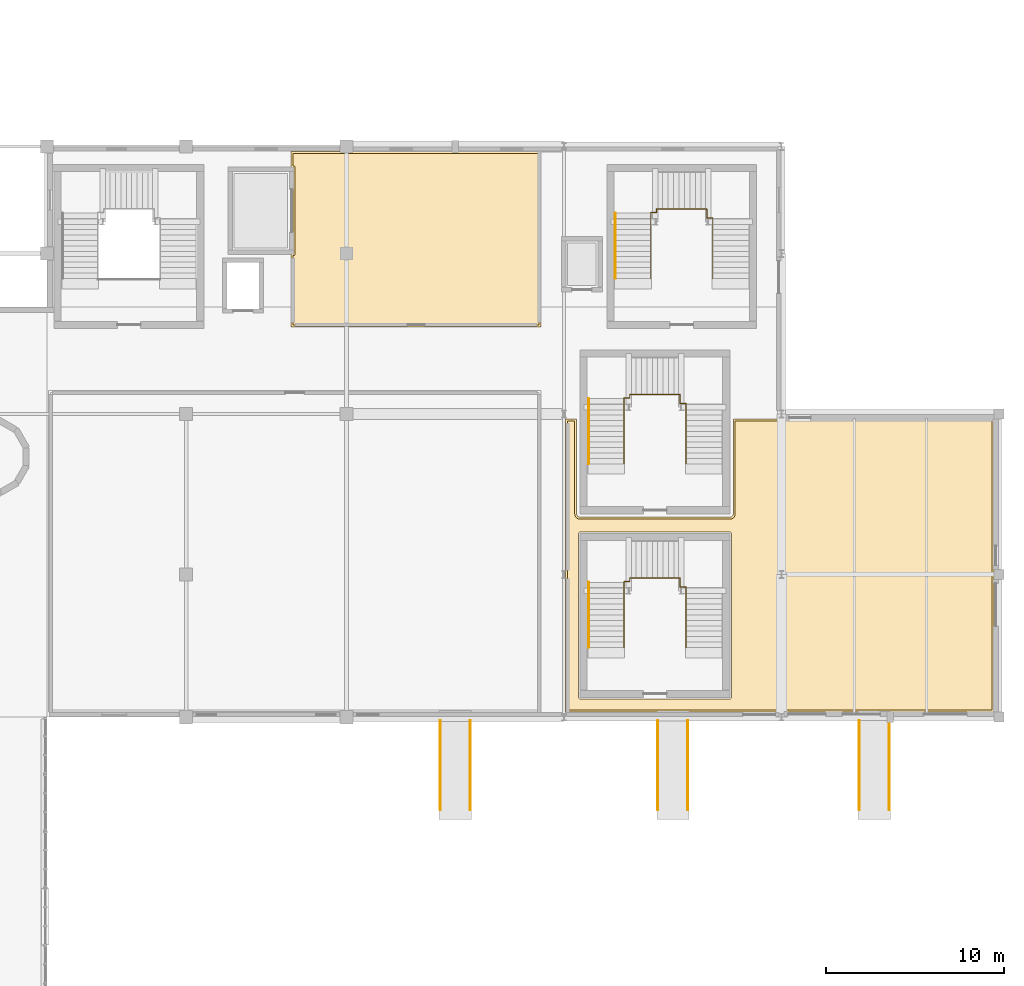
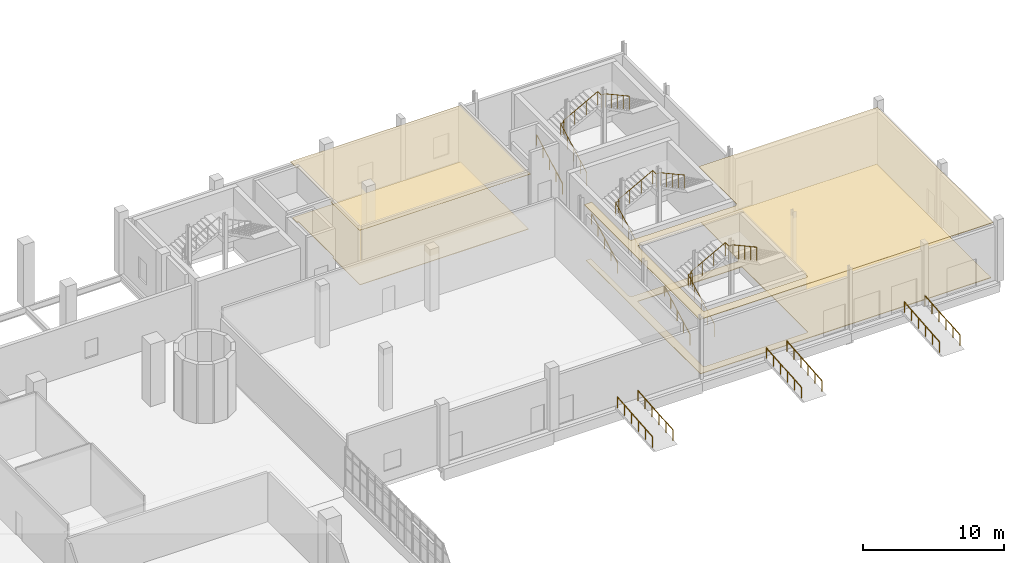
# One storey, part 56 of 57: 12 railings, 4 coverings.
"""IFC4 building model written with IfcOpenShell, lengths in metres."""

from ifc_helpers import new_model, si_unit, derived_unit, direction, frame, origin, origin_2d, place, context, subcontext, project, spatial, polyline, circle, outline, extrude, material, layer, layer_set, type_object, element, save


model = new_model("IFC4")

# Units and contexts
model_context = context("Model", 3, precision=1e-05, world=origin(), true_north=direction((0.0, 1.0)))
body_context = subcontext(model_context, "Body", "Model", "MODEL_VIEW")
ifc_project = project(units=[si_unit("LENGTHUNIT", "METRE"), si_unit("AREAUNIT", "SQUARE_METRE"), si_unit("VOLUMEUNIT", "CUBIC_METRE"), si_unit("PLANEANGLEUNIT", "RADIAN"), si_unit("MASSUNIT", "GRAM", prefix="KILO"), derived_unit("THERMALTRANSMITTANCEUNIT", [(si_unit("POWERUNIT", "WATT"), 1), (si_unit("LENGTHUNIT", "METRE"), -2), (si_unit("THERMODYNAMICTEMPERATUREUNIT", "KELVIN"), -1)])], contexts=[model_context])

# Site, building, storey
site_placement = place(None, origin())
site = spatial("IfcSite", under=ifc_project, at=site_placement, CompositionType="ELEMENT")
building_placement = place(site_placement, origin())
building = spatial("IfcBuilding", under=site, at=building_placement, Name="Nallur Shell Playhouse", CompositionType="ELEMENT")
storey_placement = place(building_placement, origin())
storey = spatial("IfcBuildingStorey", under=building, at=storey_placement, Name="L01", CompositionType="ELEMENT", Elevation=0.0)

# Coverings
ifc_material_1 = material(Name="Micro-Perforated Teak Veneer Acoustic Baffle Ceiling")
ifc_layer_1 = layer(ifc_material_1, 0.044921875)
ifc_layer_set_1 = layer_set([ifc_layer_1], Name="Micro-Perforated Teak Veneer Acoustic Baffle Ceiling")
covering_type_1 = type_object("IfcCoveringType", Name="CV-CEIL-AC1", PredefinedType="CEILING", material=ifc_layer_set_1)
covering_1_placement = place(storey_placement, frame((0.0, 0.0, 4.804931640625)))
element("IfcCovering", 1, at=covering_1_placement, inside=storey, type_object=covering_type_1, Name="Performing Arts Bookshop & Design Store suspended acoustic ceiling", PredefinedType="CEILING", context=body_context, shape_type="SweptSolid", body=[
    extrude(outline(polyline([(148.31884765625, 35.34326171875), (148.323974609375, 35.3291015625), (148.325439453125, 35.324951171875), (148.33154296875, 35.312255859375), (148.33349609375, 35.308349609375), (148.3408203125, 35.29638671875), (148.34326171875, 35.292724609375), (148.351806640625, 35.28125), (148.354736328125, 35.277587890625), (148.3642578125, 35.26708984375), (148.3671875, 35.26416015625), (148.377685546875, 35.2548828125), (148.38134765625, 35.251953125), (148.392822265625, 35.2431640625), (148.396484375, 35.24072265625), (148.408447265625, 35.233642578125), (148.412353515625, 35.231689453125), (148.425048828125, 35.2255859375), (148.428955078125, 35.223876953125), (148.443115234375, 35.218994140625), (148.447509765625, 35.217529296875), (148.460693359375, 35.214111328125), (148.465087890625, 35.21337890625), (148.47900390625, 35.211181640625), (148.4833984375, 35.210693359375), (148.4990234375, 35.2099609375), (148.501220703125, 35.2099609375), (156.89892578125, 35.2099609375), (156.90087890625, 35.2099609375), (156.916748046875, 35.210693359375), (156.921142578125, 35.211181640625), (156.934814453125, 35.21337890625), (156.939208984375, 35.214111328125), (156.95263671875, 35.217529296875), (156.956787109375, 35.218994140625), (156.970947265625, 35.223876953125), (156.97509765625, 35.2255859375), (156.98779296875, 35.231689453125), (156.99169921875, 35.233642578125), (157.00341796875, 35.24072265625), (157.007080078125, 35.2431640625), (157.018798828125, 35.251953125), (157.022216796875, 35.2548828125), (157.03271484375, 35.26416015625), (157.035888671875, 35.26708984375), (157.045166015625, 35.277587890625), (157.048095703125, 35.28125), (157.056884765625, 35.292724609375), (157.05908203125, 35.29638671875), (157.06640625, 35.308349609375), (157.068359375, 35.312255859375), (157.074462890625, 35.324951171875), (157.076171875, 35.3291015625), (157.0810546875, 35.34326171875), (157.08251953125, 35.347412109375), (157.085693359375, 35.36083984375), (157.086669921875, 35.364990234375), (157.088623046875, 35.37890625), (157.089111328125, 35.38330078125), (157.090087890625, 35.39892578125), (157.090087890625, 35.401123046875), (157.090087890625, 40.7099609375), (171.7099609375, 40.7099609375), (171.7099609375, 24.2900390625), (147.68994140625, 24.2900390625), (147.68994140625, 40.7099609375), (148.31005859375, 40.7099609375), (148.31005859375, 35.401123046875), (148.31005859375, 35.39892578125), (148.310791015625, 35.38330078125), (148.311279296875, 35.37890625), (148.313232421875, 35.364990234375), (148.314208984375, 35.36083984375), (148.3173828125, 35.347412109375), (148.31884765625, 35.34326171875)]), holes=[polyline([(156.91552734375, 25.021484375), (156.923095703125, 25.0234375), (156.9306640625, 25.026123046875), (156.937744140625, 25.029296875), (156.9443359375, 25.033447265625), (156.95068359375, 25.0380859375), (156.95654296875, 25.04345703125), (156.9619140625, 25.04931640625), (156.966552734375, 25.0556640625), (156.970703125, 25.062255859375), (156.973876953125, 25.0693359375), (156.9765625, 25.076904296875), (156.978515625, 25.08447265625), (156.9794921875, 25.09228515625), (156.97998046875, 25.10009765625), (156.97998046875, 34.300048828125), (156.9794921875, 34.307861328125), (156.978515625, 34.315673828125), (156.9765625, 34.3232421875), (156.973876953125, 34.33056640625), (156.970703125, 34.337646484375), (156.966552734375, 34.344482421875), (156.9619140625, 34.350830078125), (156.95654296875, 34.356689453125), (156.95068359375, 34.36181640625), (156.9443359375, 34.366455078125), (156.937744140625, 34.37060546875), (156.9306640625, 34.373779296875), (156.923095703125, 34.376708984375), (156.91552734375, 34.37841796875), (156.90771484375, 34.379638671875), (156.89990234375, 34.3798828125), (148.5, 34.3798828125), (148.4921875, 34.379638671875), (148.484375, 34.37841796875), (148.476806640625, 34.376708984375), (148.469482421875, 34.373779296875), (148.46240234375, 34.37060546875), (148.45556640625, 34.366455078125), (148.44921875, 34.36181640625), (148.443359375, 34.356689453125), (148.438232421875, 34.350830078125), (148.43359375, 34.344482421875), (148.429443359375, 34.337646484375), (148.426025390625, 34.33056640625), (148.42333984375, 34.3232421875), (148.42138671875, 34.315673828125), (148.42041015625, 34.307861328125), (148.419921875, 34.300048828125), (148.419921875, 25.10009765625), (148.42041015625, 25.09228515625), (148.42138671875, 25.08447265625), (148.42333984375, 25.076904296875), (148.426025390625, 25.0693359375), (148.429443359375, 25.062255859375), (148.43359375, 25.0556640625), (148.438232421875, 25.04931640625), (148.443359375, 25.04345703125), (148.44921875, 25.0380859375), (148.45556640625, 25.033447265625), (148.46240234375, 25.029296875), (148.469482421875, 25.026123046875), (148.476806640625, 25.0234375), (148.484375, 25.021484375), (148.4921875, 25.0205078125), (148.5, 25.02001953125), (156.89990234375, 25.02001953125), (156.90771484375, 25.0205078125), (156.91552734375, 25.021484375)])]), origin(), (0.0, 0.0, 1.0), 0.045166015625),
])
ifc_material_2 = material(Name="Mineral-Fibre High-NRC Suspended Ceiling Tile")
ifc_layer_2 = layer(ifc_material_2, 0.030029296875)
ifc_layer_set_2 = layer_set([ifc_layer_2], Name="Mineral-Fibre High-NRC Suspended Ceiling Tile")
covering_type_2 = type_object("IfcCoveringType", Name="CV-CEIL-AC2", PredefinedType="CEILING", material=ifc_layer_set_2)
covering_2_placement = place(storey_placement, frame((0.0, 0.0, 4.820068359375)))
element("IfcCovering", 2, at=covering_2_placement, inside=storey, type_object=covering_type_2, Name="Commercial Catering Kitchen & Scullery suspended acoustic ceiling", PredefinedType="CEILING", context=body_context, shape_type="SweptSolid", body=[
    extrude(outline(polyline([(132.409912109375, 49.989990234375), (132.409912109375, 54.81005859375), (132.2900390625, 54.81005859375), (132.2900390625, 55.7099609375), (146.31005859375, 55.7099609375), (146.31005859375, 45.889892578125), (132.2900390625, 45.889892578125), (132.2900390625, 49.989990234375), (132.409912109375, 49.989990234375)])), origin(), (0.0, 0.0, 1.0), 0.030029296875),
])
ifc_material_3 = material(Name="Polished Chettinad Oxide & White Marble Terrazzo Flooring", Category="masonry")
ifc_layer_3 = layer(ifc_material_3, 0.050048828125)
ifc_layer_set_3 = layer_set([ifc_layer_3], Name="Polished Chettinad Oxide & White Marble Terrazzo Flooring")
covering_type_3 = type_object("IfcCoveringType", Name="CV-FLOR-TERRAZZO", PredefinedType="FLOORING", material=ifc_layer_set_3)
covering_3_placement = place(storey_placement, origin())
element("IfcCovering", 3, at=covering_3_placement, inside=storey, type_object=covering_type_3, Name="Commercial Catering Kitchen & Scullery floor finish", PredefinedType="FLOORING", context=body_context, shape_type="SweptSolid", body=[
    extrude(outline(polyline([(132.49072265625, 49.9091796875), (132.497314453125, 49.91650390625), (132.503173828125, 49.92431640625), (132.50830078125, 49.932861328125), (132.512451171875, 49.941650390625), (132.515625, 49.950927734375), (132.51806640625, 49.96044921875), (132.51953125, 49.97021484375), (132.52001953125, 49.97998046875), (132.52001953125, 54.820068359375), (132.51953125, 54.829833984375), (132.51806640625, 54.839599609375), (132.515625, 54.84912109375), (132.512451171875, 54.8583984375), (132.50830078125, 54.8671875), (132.503173828125, 54.87548828125), (132.497314453125, 54.88330078125), (132.49072265625, 54.890625), (132.4833984375, 54.897216796875), (132.4755859375, 54.903076171875), (132.467041015625, 54.908203125), (132.458251953125, 54.912353515625), (132.448974609375, 54.915771484375), (132.439453125, 54.918212890625), (132.4296875, 54.91943359375), (132.419921875, 54.919921875), (132.39990234375, 54.919921875), (132.39990234375, 55.60009765625), (146.199951171875, 55.60009765625), (146.199951171875, 46.0), (132.39990234375, 46.0), (132.39990234375, 49.8798828125), (132.419921875, 49.8798828125), (132.4296875, 49.880615234375), (132.439453125, 49.8818359375), (132.448974609375, 49.88427734375), (132.458251953125, 49.8876953125), (132.467041015625, 49.891845703125), (132.4755859375, 49.89697265625), (132.4833984375, 49.902587890625), (132.49072265625, 49.9091796875)])), origin(), (0.0, 0.0, 1.0), 0.050048828125),
])
covering_4_placement = place(storey_placement, origin())
element("IfcCovering", 4, at=covering_4_placement, inside=storey, type_object=covering_type_3, Name="Performing Arts Bookshop & Design Store floor finish", PredefinedType="FLOORING", context=body_context, shape_type="SweptSolid", body=[
    extrude(outline(polyline([(148.214599609375, 35.308349609375), (148.22119140625, 35.289794921875), (148.224853515625, 35.28076171875), (148.233154296875, 35.262939453125), (148.23779296875, 35.25439453125), (148.247802734375, 35.237548828125), (148.25341796875, 35.229248046875), (148.26513671875, 35.213623046875), (148.271240234375, 35.2060546875), (148.284423828125, 35.19140625), (148.29150390625, 35.1845703125), (148.305908203125, 35.17138671875), (148.313720703125, 35.1650390625), (148.329345703125, 35.1533203125), (148.33740234375, 35.14794921875), (148.354248046875, 35.1376953125), (148.363037109375, 35.13330078125), (148.380615234375, 35.124755859375), (148.389892578125, 35.12109375), (148.408203125, 35.114501953125), (148.41748046875, 35.111572265625), (148.436767578125, 35.106689453125), (148.4462890625, 35.10498046875), (148.4658203125, 35.10205078125), (148.4755859375, 35.10107421875), (148.4951171875, 35.10009765625), (148.5, 35.10009765625), (156.89990234375, 35.10009765625), (156.90478515625, 35.10009765625), (156.924560546875, 35.10107421875), (156.934326171875, 35.10205078125), (156.95361328125, 35.10498046875), (156.96337890625, 35.106689453125), (156.982421875, 35.111572265625), (156.99169921875, 35.114501953125), (157.01025390625, 35.12109375), (157.019287109375, 35.124755859375), (157.037109375, 35.13330078125), (157.045654296875, 35.1376953125), (157.0625, 35.14794921875), (157.07080078125, 35.1533203125), (157.08642578125, 35.1650390625), (157.093994140625, 35.17138671875), (157.108642578125, 35.1845703125), (157.115478515625, 35.19140625), (157.128662109375, 35.2060546875), (157.135009765625, 35.213623046875), (157.146484375, 35.229248046875), (157.152099609375, 35.237548828125), (157.162109375, 35.25439453125), (157.166748046875, 35.262939453125), (157.17529296875, 35.28076171875), (157.178955078125, 35.289794921875), (157.185546875, 35.308349609375), (157.1884765625, 35.317626953125), (157.193115234375, 35.336669921875), (157.195068359375, 35.34619140625), (157.197998046875, 35.36572265625), (157.198974609375, 35.37548828125), (157.199951171875, 35.39501953125), (157.199951171875, 35.39990234375), (157.199951171875, 40.60009765625), (171.60009765625, 40.60009765625), (171.60009765625, 24.39990234375), (147.800048828125, 24.39990234375), (147.800048828125, 40.60009765625), (148.199951171875, 40.60009765625), (148.199951171875, 35.39990234375), (148.2001953125, 35.39501953125), (148.201171875, 35.37548828125), (148.201904296875, 35.36572265625), (148.204833984375, 35.34619140625), (148.206787109375, 35.336669921875), (148.211669921875, 35.317626953125), (148.214599609375, 35.308349609375)]), holes=[polyline([(156.91552734375, 25.021484375), (156.923095703125, 25.0234375), (156.9306640625, 25.026123046875), (156.937744140625, 25.029296875), (156.9443359375, 25.033447265625), (156.95068359375, 25.0380859375), (156.95654296875, 25.04345703125), (156.9619140625, 25.04931640625), (156.966552734375, 25.0556640625), (156.970703125, 25.062255859375), (156.973876953125, 25.0693359375), (156.9765625, 25.076904296875), (156.978515625, 25.08447265625), (156.9794921875, 25.09228515625), (156.97998046875, 25.10009765625), (156.97998046875, 34.300048828125), (156.9794921875, 34.307861328125), (156.978515625, 34.315673828125), (156.9765625, 34.3232421875), (156.973876953125, 34.33056640625), (156.970703125, 34.337646484375), (156.966552734375, 34.344482421875), (156.9619140625, 34.350830078125), (156.95654296875, 34.356689453125), (156.95068359375, 34.36181640625), (156.9443359375, 34.366455078125), (156.937744140625, 34.37060546875), (156.9306640625, 34.373779296875), (156.923095703125, 34.376708984375), (156.91552734375, 34.37841796875), (156.90771484375, 34.379638671875), (156.89990234375, 34.3798828125), (148.5, 34.3798828125), (148.4921875, 34.379638671875), (148.484375, 34.37841796875), (148.476806640625, 34.376708984375), (148.469482421875, 34.373779296875), (148.46240234375, 34.37060546875), (148.45556640625, 34.366455078125), (148.44921875, 34.36181640625), (148.443359375, 34.356689453125), (148.438232421875, 34.350830078125), (148.43359375, 34.344482421875), (148.429443359375, 34.337646484375), (148.426025390625, 34.33056640625), (148.42333984375, 34.3232421875), (148.42138671875, 34.315673828125), (148.42041015625, 34.307861328125), (148.419921875, 34.300048828125), (148.419921875, 25.10009765625), (148.42041015625, 25.09228515625), (148.42138671875, 25.08447265625), (148.42333984375, 25.076904296875), (148.426025390625, 25.0693359375), (148.429443359375, 25.062255859375), (148.43359375, 25.0556640625), (148.438232421875, 25.04931640625), (148.443359375, 25.04345703125), (148.44921875, 25.0380859375), (148.45556640625, 25.033447265625), (148.46240234375, 25.029296875), (148.469482421875, 25.026123046875), (148.476806640625, 25.0234375), (148.484375, 25.021484375), (148.4921875, 25.0205078125), (148.5, 25.02001953125), (156.89990234375, 25.02001953125), (156.90771484375, 25.0205078125), (156.91552734375, 25.021484375)])]), origin(), (0.0, 0.0, 1.0), 0.050048828125),
])

# Railings
ifc_material_4 = material(Name="Brushed Stainless Steel 316 Balustrade & Toughened Infill", Category="steel")
railing_type_1 = type_object("IfcRailingType", Name="RL-GUARD-1100", PredefinedType="BALUSTRADE", material=ifc_material_4)
railing_1_placement = place(storey_placement, frame((152.4599609375, 48.60009765625, 0.0)))
element("IfcRailing", 5, at=railing_1_placement, inside=storey, type_object=railing_type_1, Name="Stair ST-05-L01 inner open-well guard", PredefinedType="BALUSTRADE", context=body_context, shape_type="SweptSolid", body=[
    extrude(circle(Radius=0.02392578125, at=origin_2d()), frame((0.0, 0.0, 1.15576171875), z_axis=(0.0, 0.879145147203, 0.476554099919), x_axis=(-1.0, 0.0, 0.0)), (0.0, 0.0, 1.0), 4.20849609375),
    extrude(circle(Radius=0.02392578125, at=origin_2d()), frame((0.0, 3.699951171875, 3.16162109375), z_axis=(1.0, 0.0, 0.0), x_axis=(0.0, 1.0, 0.0)), (0.0, 0.0, 1.0), 0.32763671875),
    extrude(circle(Radius=0.02392578125, at=origin_2d()), frame((0.32763671875, 3.699951171875, 3.16162109375), z_axis=(0.0, 1.0, 0.0), x_axis=(-1.0, 0.0, 0.0)), (0.0, 0.0, 1.0), 0.199951171875),
    extrude(circle(Radius=0.02392578125, at=origin_2d()), frame((0.32763671875, 3.89990234375, 3.16162109375), z_axis=(0.877622962151, 0.0, 0.479351579016), x_axis=(0.0, 1.0, 0.0)), (0.0, 0.0, 1.0), 3.21875),
    extrude(circle(Radius=0.02392578125, at=origin_2d()), frame((3.152587890625, 3.89990234375, 4.70458984375), z_axis=(0.0, -1.0, 0.0), x_axis=(1.0, 0.0, 0.0)), (0.0, 0.0, 1.0), 0.5048828125),
    extrude(circle(Radius=0.02392578125, at=origin_2d()), frame((3.152587890625, 3.39501953125, 4.70458984375), z_axis=(1.0, 0.0, 0.0), x_axis=(0.0, 1.0, 0.0)), (0.0, 0.0, 1.0), 0.327392578125),
    extrude(circle(Radius=0.02392578125, at=origin_2d()), frame((3.47998046875, 3.39501953125, 4.70458984375), z_axis=(0.0, -0.877951061209, 0.478750388117), x_axis=(1.0, 0.0, 0.0)), (0.0, 0.0, 1.0), 3.866943359375),
    extrude(circle(Radius=0.02099609375, at=origin_2d()), origin(), (0.0, 0.0, 1.0), 1.1318359375),
    extrude(circle(Radius=0.02099609375, at=origin_2d()), frame((0.0, 0.925048828125, 0.50146484375)), (0.0, 0.0, 1.0), 1.1318359375),
    extrude(circle(Radius=0.02099609375, at=origin_2d()), frame((0.0, 1.85009765625, 1.0029296875)), (0.0, 0.0, 1.0), 1.1318359375),
    extrude(circle(Radius=0.02099609375, at=origin_2d()), frame((0.0, 2.77490234375, 1.504150390625)), (0.0, 0.0, 1.0), 1.1318359375),
    extrude(circle(Radius=0.02099609375, at=origin_2d()), frame((0.0, 3.699951171875, 2.005615234375)), (0.0, 0.0, 1.0), 1.1318359375),
    extrude(circle(Radius=0.02099609375, at=origin_2d()), frame((0.32763671875, 3.699951171875, 2.005615234375)), (0.0, 0.0, 1.0), 1.1318359375),
    extrude(circle(Radius=0.02099609375, at=origin_2d()), frame((0.32763671875, 3.89990234375, 2.005615234375)), (0.0, 0.0, 1.0), 1.1318359375),
    extrude(circle(Radius=0.02099609375, at=origin_2d()), frame((1.269287109375, 3.89990234375, 2.52001953125)), (0.0, 0.0, 1.0), 1.1318359375),
    extrude(circle(Radius=0.02099609375, at=origin_2d()), frame((2.2109375, 3.89990234375, 3.0341796875)), (0.0, 0.0, 1.0), 1.1318359375),
    extrude(circle(Radius=0.02099609375, at=origin_2d()), frame((3.152587890625, 3.89990234375, 3.548583984375)), (0.0, 0.0, 1.0), 1.1318359375),
    extrude(circle(Radius=0.02099609375, at=origin_2d()), frame((3.152587890625, 3.39501953125, 3.548583984375)), (0.0, 0.0, 1.0), 1.1318359375),
    extrude(circle(Radius=0.02099609375, at=origin_2d()), frame((3.47998046875, 3.39501953125, 3.548583984375)), (0.0, 0.0, 1.0), 1.1318359375),
    extrude(circle(Radius=0.02099609375, at=origin_2d()), frame((3.47998046875, 2.54638671875, 4.011474609375)), (0.0, 0.0, 1.0), 1.1318359375),
    extrude(circle(Radius=0.02099609375, at=origin_2d()), frame((3.47998046875, 1.697509765625, 4.47412109375)), (0.0, 0.0, 1.0), 1.1318359375),
    extrude(circle(Radius=0.02099609375, at=origin_2d()), frame((3.47998046875, 0.8486328125, 4.93701171875)), (0.0, 0.0, 1.0), 1.1318359375),
    extrude(circle(Radius=0.02099609375, at=origin_2d()), frame((3.47998046875, 0.0, 5.39990234375)), (0.0, 0.0, 1.0), 1.1318359375),
])
railing_2_placement = place(storey_placement, frame((150.9599609375, 27.89990234375, 0.0)))
element("IfcRailing", 6, at=railing_2_placement, inside=storey, type_object=railing_type_1, Name="Stair ST-08-L01 inner open-well guard", PredefinedType="BALUSTRADE", context=body_context, shape_type="SweptSolid", body=[
    extrude(circle(Radius=0.02392578125, at=origin_2d()), frame((0.0, 0.0, 1.15576171875), z_axis=(0.0, 0.879158320541, 0.476529796994), x_axis=(-1.0, 0.0, 0.0)), (0.0, 0.0, 1.0), 4.208740234375),
    extrude(circle(Radius=0.02392578125, at=origin_2d()), frame((0.0, 3.7001953125, 3.16162109375), z_axis=(1.0, 0.0, 0.0), x_axis=(0.0, 1.0, 0.0)), (0.0, 0.0, 1.0), 0.32763671875),
    extrude(circle(Radius=0.02392578125, at=origin_2d()), frame((0.32763671875, 3.7001953125, 3.16162109375), z_axis=(0.0, 1.0, 0.0), x_axis=(-1.0, 0.0, 0.0)), (0.0, 0.0, 1.0), 0.199951171875),
    extrude(circle(Radius=0.02392578125, at=origin_2d()), frame((0.32763671875, 3.900146484375, 3.16162109375), z_axis=(0.877622962151, 0.0, 0.479351579016), x_axis=(0.0, 1.0, 0.0)), (0.0, 0.0, 1.0), 3.21875),
    extrude(circle(Radius=0.02392578125, at=origin_2d()), frame((3.152587890625, 3.900146484375, 4.70458984375), z_axis=(0.0, -1.0, 0.0), x_axis=(1.0, 0.0, 0.0)), (0.0, 0.0, 1.0), 0.505126953125),
    extrude(circle(Radius=0.02392578125, at=origin_2d()), frame((3.152587890625, 3.39501953125, 4.70458984375), z_axis=(1.0, 0.0, 0.0), x_axis=(0.0, 1.0, 0.0)), (0.0, 0.0, 1.0), 0.327392578125),
    extrude(circle(Radius=0.02392578125, at=origin_2d()), frame((3.47998046875, 3.39501953125, 4.70458984375), z_axis=(0.0, -0.877951061209, 0.478750388117), x_axis=(1.0, 0.0, 0.0)), (0.0, 0.0, 1.0), 3.866943359375),
    extrude(circle(Radius=0.02099609375, at=origin_2d()), origin(), (0.0, 0.0, 1.0), 1.1318359375),
    extrude(circle(Radius=0.02099609375, at=origin_2d()), frame((0.0, 0.925048828125, 0.50146484375)), (0.0, 0.0, 1.0), 1.1318359375),
    extrude(circle(Radius=0.02099609375, at=origin_2d()), frame((0.0, 1.85009765625, 1.0029296875)), (0.0, 0.0, 1.0), 1.1318359375),
    extrude(circle(Radius=0.02099609375, at=origin_2d()), frame((0.0, 2.775146484375, 1.504150390625)), (0.0, 0.0, 1.0), 1.1318359375),
    extrude(circle(Radius=0.02099609375, at=origin_2d()), frame((0.0, 3.7001953125, 2.005615234375)), (0.0, 0.0, 1.0), 1.1318359375),
    extrude(circle(Radius=0.02099609375, at=origin_2d()), frame((0.32763671875, 3.7001953125, 2.005615234375)), (0.0, 0.0, 1.0), 1.1318359375),
    extrude(circle(Radius=0.02099609375, at=origin_2d()), frame((0.32763671875, 3.900146484375, 2.005615234375)), (0.0, 0.0, 1.0), 1.1318359375),
    extrude(circle(Radius=0.02099609375, at=origin_2d()), frame((1.269287109375, 3.900146484375, 2.52001953125)), (0.0, 0.0, 1.0), 1.1318359375),
    extrude(circle(Radius=0.02099609375, at=origin_2d()), frame((2.2109375, 3.900146484375, 3.0341796875)), (0.0, 0.0, 1.0), 1.1318359375),
    extrude(circle(Radius=0.02099609375, at=origin_2d()), frame((3.152587890625, 3.900146484375, 3.548583984375)), (0.0, 0.0, 1.0), 1.1318359375),
    extrude(circle(Radius=0.02099609375, at=origin_2d()), frame((3.152587890625, 3.39501953125, 3.548583984375)), (0.0, 0.0, 1.0), 1.1318359375),
    extrude(circle(Radius=0.02099609375, at=origin_2d()), frame((3.47998046875, 3.39501953125, 3.548583984375)), (0.0, 0.0, 1.0), 1.1318359375),
    extrude(circle(Radius=0.02099609375, at=origin_2d()), frame((3.47998046875, 2.54638671875, 4.011474609375)), (0.0, 0.0, 1.0), 1.1318359375),
    extrude(circle(Radius=0.02099609375, at=origin_2d()), frame((3.47998046875, 1.697509765625, 4.47412109375)), (0.0, 0.0, 1.0), 1.1318359375),
    extrude(circle(Radius=0.02099609375, at=origin_2d()), frame((3.47998046875, 0.8486328125, 4.93701171875)), (0.0, 0.0, 1.0), 1.1318359375),
    extrude(circle(Radius=0.02099609375, at=origin_2d()), frame((3.47998046875, 0.0, 5.39990234375)), (0.0, 0.0, 1.0), 1.1318359375),
])
railing_3_placement = place(storey_placement, frame((150.9599609375, 38.199951171875, 0.0)))
element("IfcRailing", 7, at=railing_3_placement, inside=storey, type_object=railing_type_1, Name="Stair ST-09-L01 inner open-well guard", PredefinedType="BALUSTRADE", context=body_context, shape_type="SweptSolid", body=[
    extrude(circle(Radius=0.02392578125, at=origin_2d()), frame((0.0, 0.0, 1.15576171875), z_axis=(0.0, 0.879145147203, 0.476554099919), x_axis=(-1.0, 0.0, 0.0)), (0.0, 0.0, 1.0), 4.20849609375),
    extrude(circle(Radius=0.02392578125, at=origin_2d()), frame((0.0, 3.699951171875, 3.16162109375), z_axis=(1.0, 0.0, 0.0), x_axis=(0.0, 1.0, 0.0)), (0.0, 0.0, 1.0), 0.32763671875),
    extrude(circle(Radius=0.02392578125, at=origin_2d()), frame((0.32763671875, 3.699951171875, 3.16162109375), z_axis=(0.0, 1.0, 0.0), x_axis=(-1.0, 0.0, 0.0)), (0.0, 0.0, 1.0), 0.2001953125),
    extrude(circle(Radius=0.02392578125, at=origin_2d()), frame((0.32763671875, 3.900146484375, 3.16162109375), z_axis=(0.877622962151, 0.0, 0.479351579016), x_axis=(0.0, 1.0, 0.0)), (0.0, 0.0, 1.0), 3.21875),
    extrude(circle(Radius=0.02392578125, at=origin_2d()), frame((3.152587890625, 3.900146484375, 4.70458984375), z_axis=(0.0, -1.0, 0.0), x_axis=(1.0, 0.0, 0.0)), (0.0, 0.0, 1.0), 0.505126953125),
    extrude(circle(Radius=0.02392578125, at=origin_2d()), frame((3.152587890625, 3.39501953125, 4.70458984375), z_axis=(1.0, 0.0, 0.0), x_axis=(0.0, 1.0, 0.0)), (0.0, 0.0, 1.0), 0.327392578125),
    extrude(circle(Radius=0.02392578125, at=origin_2d()), frame((3.47998046875, 3.39501953125, 4.70458984375), z_axis=(0.0, -0.877951061209, 0.478750388117), x_axis=(1.0, 0.0, 0.0)), (0.0, 0.0, 1.0), 3.866943359375),
    extrude(circle(Radius=0.02099609375, at=origin_2d()), origin(), (0.0, 0.0, 1.0), 1.1318359375),
    extrude(circle(Radius=0.02099609375, at=origin_2d()), frame((0.0, 0.925048828125, 0.50146484375)), (0.0, 0.0, 1.0), 1.1318359375),
    extrude(circle(Radius=0.02099609375, at=origin_2d()), frame((0.0, 1.85009765625, 1.0029296875)), (0.0, 0.0, 1.0), 1.1318359375),
    extrude(circle(Radius=0.02099609375, at=origin_2d()), frame((0.0, 2.77490234375, 1.504150390625)), (0.0, 0.0, 1.0), 1.1318359375),
    extrude(circle(Radius=0.02099609375, at=origin_2d()), frame((0.0, 3.699951171875, 2.005615234375)), (0.0, 0.0, 1.0), 1.1318359375),
    extrude(circle(Radius=0.02099609375, at=origin_2d()), frame((0.32763671875, 3.699951171875, 2.005615234375)), (0.0, 0.0, 1.0), 1.1318359375),
    extrude(circle(Radius=0.02099609375, at=origin_2d()), frame((0.32763671875, 3.900146484375, 2.005615234375)), (0.0, 0.0, 1.0), 1.1318359375),
    extrude(circle(Radius=0.02099609375, at=origin_2d()), frame((1.269287109375, 3.900146484375, 2.52001953125)), (0.0, 0.0, 1.0), 1.1318359375),
    extrude(circle(Radius=0.02099609375, at=origin_2d()), frame((2.2109375, 3.900146484375, 3.0341796875)), (0.0, 0.0, 1.0), 1.1318359375),
    extrude(circle(Radius=0.02099609375, at=origin_2d()), frame((3.152587890625, 3.900146484375, 3.548583984375)), (0.0, 0.0, 1.0), 1.1318359375),
    extrude(circle(Radius=0.02099609375, at=origin_2d()), frame((3.152587890625, 3.39501953125, 3.548583984375)), (0.0, 0.0, 1.0), 1.1318359375),
    extrude(circle(Radius=0.02099609375, at=origin_2d()), frame((3.47998046875, 3.39501953125, 3.548583984375)), (0.0, 0.0, 1.0), 1.1318359375),
    extrude(circle(Radius=0.02099609375, at=origin_2d()), frame((3.47998046875, 2.54638671875, 4.011474609375)), (0.0, 0.0, 1.0), 1.1318359375),
    extrude(circle(Radius=0.02099609375, at=origin_2d()), frame((3.47998046875, 1.697509765625, 4.47412109375)), (0.0, 0.0, 1.0), 1.1318359375),
    extrude(circle(Radius=0.02099609375, at=origin_2d()), frame((3.47998046875, 0.8486328125, 4.93701171875)), (0.0, 0.0, 1.0), 1.1318359375),
    extrude(circle(Radius=0.02099609375, at=origin_2d()), frame((3.47998046875, 0.0, 5.39990234375)), (0.0, 0.0, 1.0), 1.1318359375),
])
ifc_material_5 = material(Name="Stainless Steel 316 Continuous Tubular Handrail", Category="steel")
railing_type_2 = type_object("IfcRailingType", Name="RL-HANDRAIL-900", PredefinedType="HANDRAIL", material=ifc_material_5)
for number, where, name in (
    (8, (140.659912109375, 18.800048828125, -0.433349609375), "Studio South Forecourt Accessible Ramp accessible handrail L"),
    (9, (142.340087890625, 18.800048828125, -0.433349609375), "Studio South Forecourt Accessible Ramp accessible handrail R"),
    (10, (152.860107421875, 18.800048828125, -0.433349609375), "Bookshop South Forecourt Accessible Ramp accessible handrail L"),
    (11, (154.5400390625, 18.800048828125, -0.433349609375), "Bookshop South Forecourt Accessible Ramp accessible handrail R"),
    (12, (164.159912109375, 18.800048828125, -0.433349609375), "East Colonnade South Accessible Ramp accessible handrail L"),
    (13, (165.840087890625, 18.800048828125, -0.433349609375), "East Colonnade South Accessible Ramp accessible handrail R"),
):
    element("IfcRailing", number, at=place(storey_placement, frame(where)), inside=storey, type_object=railing_type_2, Name=name, PredefinedType="HANDRAIL", context=body_context, shape_type="SweptSolid", body=[
        extrude(circle(Radius=0.02392578125, at=origin_2d()), frame((0.0, 0.0, 0.89599609375), z_axis=(0.0, 0.996544415787, 0.083061587781), x_axis=(-1.0, 0.0, 0.0)), (0.0, 0.0, 1.0), 5.017333984375),
        extrude(circle(Radius=0.02099609375, at=origin_2d()), origin(), (0.0, 0.0, 1.0), 0.871826171875),
        extrude(circle(Radius=0.02099609375, at=origin_2d()), frame((0.0, 1.0, 0.083251953125)), (0.0, 0.0, 1.0), 0.871826171875),
        extrude(circle(Radius=0.02099609375, at=origin_2d()), frame((0.0, 2.0, 0.166748046875)), (0.0, 0.0, 1.0), 0.871826171875),
        extrude(circle(Radius=0.02099609375, at=origin_2d()), frame((0.0, 3.0, 0.25)), (0.0, 0.0, 1.0), 0.871826171875),
        extrude(circle(Radius=0.02099609375, at=origin_2d()), frame((0.0, 4.0, 0.33349609375)), (0.0, 0.0, 1.0), 0.871826171875),
        extrude(circle(Radius=0.02099609375, at=origin_2d()), frame((0.0, 5.0, 0.416748046875)), (0.0, 0.0, 1.0), 0.871826171875),
    ])
railing_4_placement = place(storey_placement, frame((150.47998046875, 48.60009765625, 0.0)))
element("IfcRailing", 14, at=railing_4_placement, inside=storey, type_object=railing_type_2, Name="Stair ST-05-L01 outer handrail F1", PredefinedType="HANDRAIL", context=body_context, shape_type="SweptSolid", body=[
    extrude(circle(Radius=0.02392578125, at=origin_2d()), frame((0.0, 0.0, 0.89599609375), z_axis=(0.0, 0.876957165418, 0.480568548723), x_axis=(-1.0, 0.0, 0.0)), (0.0, 0.0, 1.0), 4.17333984375),
    extrude(circle(Radius=0.02099609375, at=origin_2d()), origin(), (0.0, 0.0, 1.0), 0.871826171875),
    extrude(circle(Radius=0.02099609375, at=origin_2d()), frame((0.0, 0.9150390625, 0.50146484375)), (0.0, 0.0, 1.0), 0.871826171875),
    extrude(circle(Radius=0.02099609375, at=origin_2d()), frame((0.0, 1.830078125, 1.0029296875)), (0.0, 0.0, 1.0), 0.871826171875),
    extrude(circle(Radius=0.02099609375, at=origin_2d()), frame((0.0, 2.744873046875, 1.504150390625)), (0.0, 0.0, 1.0), 0.871826171875),
    extrude(circle(Radius=0.02099609375, at=origin_2d()), frame((0.0, 3.659912109375, 2.005615234375)), (0.0, 0.0, 1.0), 0.871826171875),
])
for number, where, name in (
    (15, (148.97998046875, 27.89990234375, 0.0), "Stair ST-08-L01 outer handrail F1"),
    (16, (148.97998046875, 38.199951171875, 0.0), "Stair ST-09-L01 outer handrail F1"),
):
    element("IfcRailing", number, at=place(storey_placement, frame(where)), inside=storey, type_object=railing_type_2, Name=name, PredefinedType="HANDRAIL", context=body_context, shape_type="SweptSolid", body=[
        extrude(circle(Radius=0.02392578125, at=origin_2d()), frame((0.0, 0.0, 0.89599609375), z_axis=(0.0, 0.876970674475, 0.480543896132), x_axis=(-1.0, 0.0, 0.0)), (0.0, 0.0, 1.0), 4.173583984375),
        extrude(circle(Radius=0.02099609375, at=origin_2d()), origin(), (0.0, 0.0, 1.0), 0.871826171875),
        extrude(circle(Radius=0.02099609375, at=origin_2d()), frame((0.0, 0.9150390625, 0.50146484375)), (0.0, 0.0, 1.0), 0.871826171875),
        extrude(circle(Radius=0.02099609375, at=origin_2d()), frame((0.0, 1.830078125, 1.0029296875)), (0.0, 0.0, 1.0), 0.871826171875),
        extrude(circle(Radius=0.02099609375, at=origin_2d()), frame((0.0, 2.7451171875, 1.504150390625)), (0.0, 0.0, 1.0), 0.871826171875),
        extrude(circle(Radius=0.02099609375, at=origin_2d()), frame((0.0, 3.66015625, 2.005615234375)), (0.0, 0.0, 1.0), 0.871826171875),
    ])

save(model, "model.ifc")
